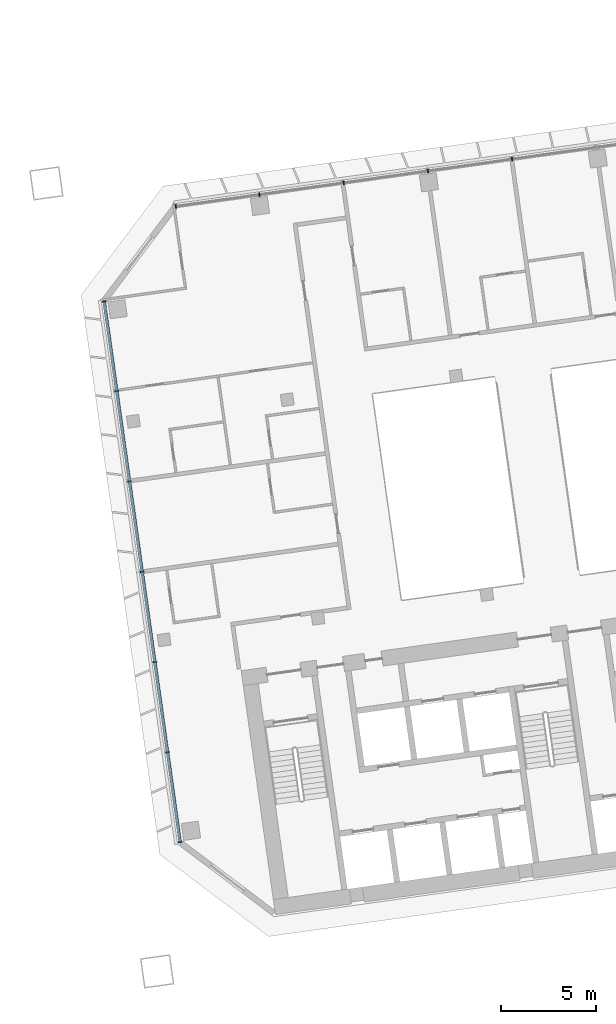
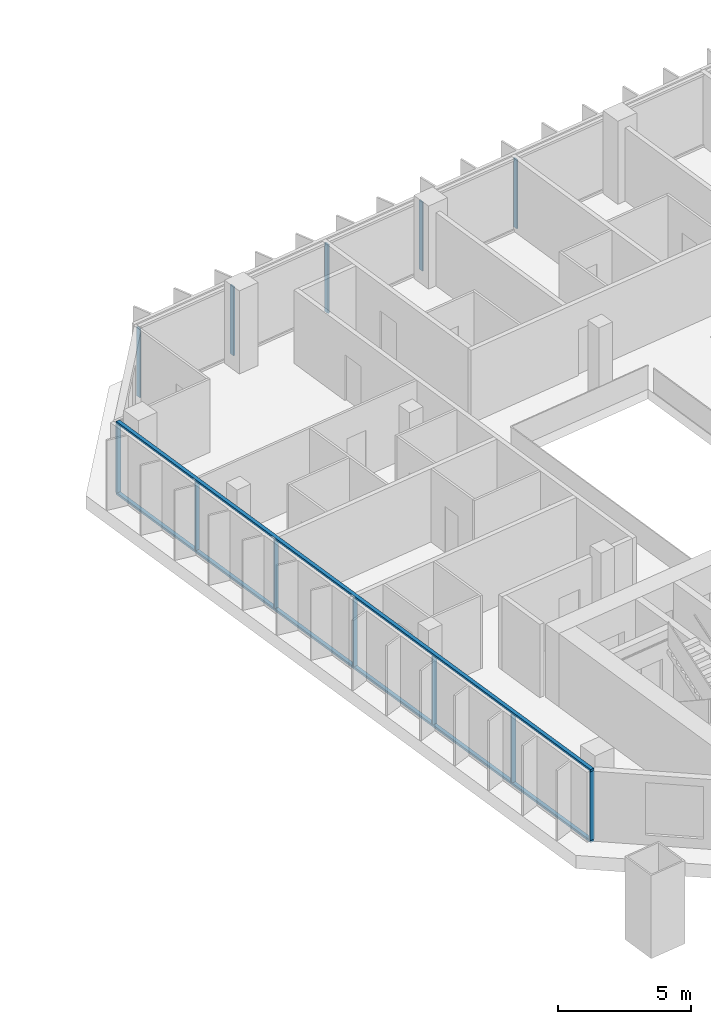
# One storey, part 7 of 26: 14 members, 2 elements without a shape of their own.
"""IFC4 building model written with IfcOpenShell, lengths in metres."""

import ifcopenshell
import ifcopenshell.guid

model = None  # the IFC model being written
_history = None  # IfcOwnerHistory: only IFC2X3 demands one
_inside = {}  # id of a spatial element -> (the spatial element, [elements in it])
_under = {}  # id of a project, library or spatial element -> (it, [spatial elements below it])
_declared = {}  # id of a project -> (the project, [libraries it declares])
_typed = {}  # id of a type object -> (the type object, [elements of that type])
_made_of = {}  # id of a material, layer set ... -> (it, [elements and type objects made of it])


def new_model(schema):
    """Start an empty IFC model of exactly this schema.

    Asked for "IFC4X3", IfcOpenShell would pick the latest addendum, in which some entities
    have other attributes; the version numbers below select the first issue.
    IFC2X3 requires an IfcOwnerHistory on every rooted entity: one is made here for all.
    """
    global model, _history
    if schema == "IFC4X3":
        model = ifcopenshell.file(schema_version=(4, 3, 0, 0))
    else:
        model = ifcopenshell.file(schema=schema)
    _inside.clear()
    _under.clear()
    _declared.clear()
    _typed.clear()
    _made_of.clear()
    _history = None
    if model.schema == "IFC2X3":
        org = make("IfcOrganization", Name="unknown")
        user = make(
            "IfcPersonAndOrganization",
            ThePerson=make("IfcPerson", FamilyName="unknown"),
            TheOrganization=org,
        )
        app = make(
            "IfcApplication",
            ApplicationDeveloper=org,
            Version="unknown",
            ApplicationFullName="unknown",
            ApplicationIdentifier="unknown",
        )
        _history = make(
            "IfcOwnerHistory",
            OwningUser=user,
            OwningApplication=app,
            ChangeAction="ADDED",
            CreationDate=0,
        )
    return model


def make(cls, **values):
    """One entity of the class cls with the attributes given. An attribute that is None is left unset."""
    return model.create_entity(
        cls, **{name: value for name, value in values.items() if value is not None}
    )


def rooted(cls, **values):
    """An entity with a GlobalId (a new one), such as an element, a storey or a relation."""
    return make(cls, GlobalId=ifcopenshell.guid.new(), OwnerHistory=_history, **values)


def si_unit(unit_type, name, prefix=None):
    """IfcSIUnit, for example si_unit("LENGTHUNIT", "METRE", prefix="MILLI")."""
    return make("IfcSIUnit", UnitType=unit_type, Prefix=prefix, Name=name)


def assignment(units):
    """IfcUnitAssignment: the units of a project."""
    return None if units is None else make("IfcUnitAssignment", Units=units)


def point(xyz):
    """IfcCartesianPoint."""
    return None if xyz is None else make("IfcCartesianPoint", Coordinates=xyz)


def direction(xyz):
    """IfcDirection."""
    return None if xyz is None else make("IfcDirection", DirectionRatios=xyz)


def frame(location, z_axis=None, x_axis=None):
    """IfcAxis2Placement3D, a coordinate frame: its origin and axes. An axis left out is left unset."""
    return make(
        "IfcAxis2Placement3D",
        Location=point(location),
        Axis=direction(z_axis),
        RefDirection=direction(x_axis),
    )


def frame_2d(location, x_axis=None):
    """IfcAxis2Placement2D, a coordinate frame in the plane: its origin and x axis."""
    return make(
        "IfcAxis2Placement2D", Location=point(location), RefDirection=direction(x_axis)
    )


def origin():
    """The frame at (0, 0, 0) with its axes left unset."""
    return frame((0.0, 0.0, 0.0))


def origin_2d():
    """The frame at (0, 0) in the plane with its x axis left unset."""
    return frame_2d((0.0, 0.0))


def place(relative_to, where):
    """IfcLocalPlacement: puts the frame where relative to a parent placement (None: the world)."""
    return make(
        "IfcLocalPlacement", PlacementRelTo=relative_to, RelativePlacement=where
    )


def context(
    kind, dimensions, precision=None, world=None, true_north=None, identifier=None
):
    """IfcGeometricRepresentationContext, for example the 3D "Model" context."""
    return make(
        "IfcGeometricRepresentationContext",
        ContextIdentifier=identifier,
        ContextType=kind,
        CoordinateSpaceDimension=dimensions,
        Precision=precision,
        WorldCoordinateSystem=world,
        TrueNorth=true_north,
    )


def subcontext(parent, identifier, kind, view, scale=None):
    """IfcGeometricRepresentationSubContext, for example "Body" below "Model"."""
    return make(
        "IfcGeometricRepresentationSubContext",
        ContextIdentifier=identifier,
        ContextType=kind,
        ParentContext=parent,
        TargetScale=scale,
        TargetView=view,
    )


def project(units=None, contexts=None):
    """IfcProject with its units and contexts."""
    return rooted(
        "IfcProject",
        Name="project",
        RepresentationContexts=contexts,
        UnitsInContext=assignment(units),
    )


def spatial(cls, under=None, at=None, **own):
    """A site, building, storey or space (cls), placed at a placement, below another one or the project."""
    s = rooted(cls, ObjectPlacement=at, **own)
    if under is not None:
        _under.setdefault(under.id(), (under, []))[1].append(s)
    return s


def profile(cls, at=None, kind="AREA", **sizes):
    """A parametric profile (cls). Its sizes go by their IFC names, for example OverallWidth=200.0."""
    return make(cls, ProfileType=kind, Position=at, **sizes)


def rectangle(**sizes):
    """IfcRectangleProfileDef."""
    return profile("IfcRectangleProfileDef", **sizes)


def extrude(swept, where, along, depth):
    """IfcExtrudedAreaSolid: the profile swept, set in the frame where, extruded along a direction by depth."""
    return make(
        "IfcExtrudedAreaSolid",
        SweptArea=swept,
        Position=where,
        ExtrudedDirection=direction(along),
        Depth=depth,
    )


def shape(context_of_items, identifier, shape_type, items):
    """IfcShapeRepresentation: the items that make up one representation, for example the "Body"."""
    return make(
        "IfcShapeRepresentation",
        ContextOfItems=context_of_items,
        RepresentationIdentifier=identifier,
        RepresentationType=shape_type,
        Items=items,
    )


def material(Name=None, Category=None):
    """IfcMaterial."""
    return make("IfcMaterial", Name=Name, Category=Category)


def material_profile(
    of_material, cross_section, Name=None, Category=None, Priority=None
):
    """IfcMaterialProfile: a cross section and its material."""
    return make(
        "IfcMaterialProfile",
        Name=Name,
        Material=of_material,
        Profile=cross_section,
        Priority=Priority,
        Category=Category,
    )


def profile_set(profiles, Name=None, composite=None):
    """IfcMaterialProfileSet."""
    return make(
        "IfcMaterialProfileSet",
        Name=Name,
        MaterialProfiles=profiles,
        CompositeProfile=composite,
    )


def made_of(thing, what):
    """Note that an element or type object is made of a material, layer set ...; save() writes the relation."""
    if what is not None:
        _made_of.setdefault(what.id(), (what, []))[1].append(thing)
    return thing


def type_object(cls, material=None, **own):
    """A type object (cls), such as IfcWallType, which elements share."""
    return made_of(rooted(cls, **own), material)


def element(
    cls,
    number,
    at=None,
    inside=None,
    cuts=None,
    type_object=None,
    material=None,
    context=None,
    identifier="Body",
    shape_type=None,
    held_by="IfcProductDefinitionShape",
    body=None,
    shapes=None,
    **own,
):
    """One element of the class cls, such as IfcWall. Its Tag is "e" and its number.

    at: its placement. inside: the storey or other place that contains it. cuts: it is an
    opening in that element (IfcRelVoidsElement). A single representation is given by context,
    identifier, shape_type and body (its items); several are given by shapes. held_by: the class
    of the entity that holds the representations. save() writes the other relations.
    """
    e = rooted(cls, Tag="e%d" % number, ObjectPlacement=at, **own)
    if body is not None:
        shapes = [shape(context, identifier, shape_type, body)]
    if shapes is not None:
        e.Representation = make(held_by, Representations=shapes)
    if inside is not None:
        _inside.setdefault(inside.id(), (inside, []))[1].append(e)
    if cuts is not None:
        rooted(
            "IfcRelVoidsElement", RelatingBuildingElement=cuts, RelatedOpeningElement=e
        )
    if type_object is not None:
        _typed.setdefault(type_object.id(), (type_object, []))[1].append(e)
    return made_of(e, material)


def aggregate(whole, parts):
    """IfcRelAggregates: a whole, such as a stair, and the parts it consists of."""
    return rooted("IfcRelAggregates", RelatingObject=whole, RelatedObjects=parts)


def save(model, path):
    """Write the relations noted so far, then the file.

    IfcRelAggregates (storeys below a building ...), IfcRelContainedInSpatialStructure (elements
    in a storey), IfcRelDefinesByType, IfcRelAssociatesMaterial and IfcRelDeclares: one each for
    every whole, place, type object, material and project.
    """
    for whole, parts in _under.values():
        aggregate(whole, parts)
    for where, things in _inside.values():
        rooted(
            "IfcRelContainedInSpatialStructure",
            RelatedElements=things,
            RelatingStructure=where,
        )
    for kind, things in _typed.values():
        rooted("IfcRelDefinesByType", RelatedObjects=things, RelatingType=kind)
    for what, things in _made_of.values():
        rooted("IfcRelAssociatesMaterial", RelatedObjects=things, RelatingMaterial=what)
    for by, libraries in _declared.values():
        rooted("IfcRelDeclares", RelatingContext=by, RelatedDefinitions=libraries)
    model.write(path)


model = new_model("IFC4")

# Units and contexts
model_context = context("Model", 3, precision=1e-05, world=origin(), true_north=direction((0.0, 1.0)))
body_context = subcontext(model_context, "Body", "Model", "MODEL_VIEW")
ifc_project = project(units=[si_unit("LENGTHUNIT", "METRE"), si_unit("AREAUNIT", "SQUARE_METRE"), si_unit("VOLUMEUNIT", "CUBIC_METRE"), si_unit("PLANEANGLEUNIT", "RADIAN"), si_unit("MASSUNIT", "GRAM", prefix="KILO")], contexts=[model_context])

# Site, building, storey
site_placement = place(None, origin())
site = spatial("IfcSite", under=ifc_project, at=site_placement, CompositionType="ELEMENT")
building_placement = place(site_placement, origin())
building = spatial("IfcBuilding", under=site, at=building_placement, Name="Mirante Cascada Hotel Towers", CompositionType="ELEMENT")
storey_placement = place(building_placement, frame((0.0, 0.0, 98.7)))
storey = spatial("IfcBuildingStorey", under=building, at=storey_placement, Name="L21", CompositionType="ELEMENT", Elevation=98.7)

# Curtain wall, members
ifc_material_1 = material(Name="Aluminium mullion and transom frame with clear laminated glass", Category="aluminium")
curtain_wall_type_1 = type_object("IfcCurtainWallType", Name="Ribbon curtain wall ECW1", PredefinedType="NOTDEFINED", material=ifc_material_1)
curtain_wall_1_placement = place(storey_placement, origin())
curtain_wall_1 = element("IfcCurtainWall", 1, at=curtain_wall_1_placement, inside=storey, type_object=curtain_wall_type_1, Name="Front ribbon wall T2 L21", PredefinedType="NOTDEFINED")
ifc_material_2 = material(Name="Anodised aluminium extrusion", Category="aluminium")
ifc_material_profile_1 = material_profile(ifc_material_2, rectangle(XDim=0.2, YDim=0.065, at=origin_2d()), Name="ECW1 MULLION 65x200")
ifc_profile_set_1 = profile_set([ifc_material_profile_1], Name="Anodised aluminium extrusion")
member_type_1 = type_object("IfcMemberType", Name="ECW1 mullion 65x200", PredefinedType="MULLION", material=ifc_profile_set_1)
member_1_placement = place(storey_placement, frame((49.6781, 19.8008, 0.1), z_axis=(0.0, 0.0, 1.0), x_axis=(0.1391731, -0.9902681, 0.0)))
member_1 = element("IfcMember", 2, at=member_1_placement, type_object=member_type_1, Name="ECW1 mullion 9", PredefinedType="MULLION", context=body_context, shape_type="SweptSolid", body=[
    extrude(rectangle(XDim=0.2, YDim=0.065, at=origin_2d()), origin(), (0.0, 0.0, 1.0), 3.15),
])
member_2_placement = place(storey_placement, frame((45.2322, 19.176, 0.1), z_axis=(0.0, 0.0, 1.0), x_axis=(0.1391731, -0.9902681, 0.0)))
member_2 = element("IfcMember", 3, at=member_2_placement, type_object=member_type_1, Name="ECW1 mullion 10", PredefinedType="MULLION", context=body_context, shape_type="SweptSolid", body=[
    extrude(rectangle(XDim=0.2, YDim=0.065, at=origin_2d()), origin(), (0.0, 0.0, 1.0), 3.15),
])
member_3_placement = place(storey_placement, frame((40.7862, 18.5512, 0.1), z_axis=(0.0, 0.0, 1.0), x_axis=(0.1391731, -0.9902681, 0.0)))
member_3 = element("IfcMember", 4, at=member_3_placement, type_object=member_type_1, Name="ECW1 mullion 11", PredefinedType="MULLION", context=body_context, shape_type="SweptSolid", body=[
    extrude(rectangle(XDim=0.2, YDim=0.065, at=origin_2d()), origin(), (0.0, 0.0, 1.0), 3.15),
])
member_4_placement = place(storey_placement, frame((36.3403, 17.9263, 0.1), z_axis=(0.0, 0.0, 1.0), x_axis=(0.1391731, -0.9902681, 0.0)))
member_4 = element("IfcMember", 5, at=member_4_placement, type_object=member_type_1, Name="ECW1 mullion 12", PredefinedType="MULLION", context=body_context, shape_type="SweptSolid", body=[
    extrude(rectangle(XDim=0.2, YDim=0.065, at=origin_2d()), origin(), (0.0, 0.0, 1.0), 3.15),
])
member_5_placement = place(storey_placement, frame((31.9265, 17.306, 0.1), z_axis=(0.0, 0.0, 1.0), x_axis=(0.1391731, -0.9902681, 0.0)))
member_5 = element("IfcMember", 6, at=member_5_placement, type_object=member_type_1, Name="ECW1 mullion 13", PredefinedType="MULLION", context=body_context, shape_type="SweptSolid", body=[
    extrude(rectangle(XDim=0.2, YDim=0.065, at=origin_2d()), origin(), (0.0, 0.0, 1.0), 3.15),
])
aggregate(curtain_wall_1, [member_1, member_2, member_3, member_4, member_5])

ifc_material_3 = material(Name="Aluminium mullion and transom frame with clear laminated glass", Category="aluminium")
curtain_wall_type_2 = type_object("IfcCurtainWallType", Name="End ribbon curtain wall ECW2", PredefinedType="NOTDEFINED", material=ifc_material_3)
curtain_wall_2_placement = place(storey_placement, origin())
curtain_wall_2 = element("IfcCurtainWall", 7, at=curtain_wall_2_placement, inside=storey, type_object=curtain_wall_type_2, Name="Inner end wall T2 L21", PredefinedType="NOTDEFINED")
ifc_material_4 = material(Name="Anodised aluminium extrusion", Category="aluminium")
ifc_material_profile_2 = material_profile(ifc_material_4, rectangle(XDim=0.2, YDim=0.065, at=origin_2d()), Name="ECW2 MULLION 65x200")
ifc_profile_set_2 = profile_set([ifc_material_profile_2], Name="Anodised aluminium extrusion")
member_type_2 = type_object("IfcMemberType", Name="ECW2 mullion 65x200", PredefinedType="MULLION", material=ifc_profile_set_2)
member_6_placement = place(storey_placement, frame((28.1437, 12.2861, 0.1), z_axis=(0.0, 0.0, 1.0), x_axis=(0.9902681, 0.1391731, 0.0)))
member_6 = element("IfcMember", 8, at=member_6_placement, type_object=member_type_2, Name="ECW2 mullion 1", PredefinedType="MULLION", context=body_context, shape_type="SweptSolid", body=[
    extrude(rectangle(XDim=0.2, YDim=0.065, at=origin_2d()), origin(), (0.0, 0.0, 1.0), 3.15),
])
member_7_placement = place(storey_placement, frame((28.809, 7.5524, 0.1), z_axis=(0.0, 0.0, 1.0), x_axis=(0.9902681, 0.1391731, 0.0)))
member_7 = element("IfcMember", 9, at=member_7_placement, type_object=member_type_2, Name="ECW2 mullion 2", PredefinedType="MULLION", context=body_context, shape_type="SweptSolid", body=[
    extrude(rectangle(XDim=0.2, YDim=0.065, at=origin_2d()), origin(), (0.0, 0.0, 1.0), 3.15),
])
member_8_placement = place(storey_placement, frame((29.4788, 2.7867, 0.1), z_axis=(0.0, 0.0, 1.0), x_axis=(0.9902681, 0.1391731, 0.0)))
member_8 = element("IfcMember", 10, at=member_8_placement, type_object=member_type_2, Name="ECW2 mullion 3", PredefinedType="MULLION", context=body_context, shape_type="SweptSolid", body=[
    extrude(rectangle(XDim=0.2, YDim=0.065, at=origin_2d()), origin(), (0.0, 0.0, 1.0), 3.15),
])
member_9_placement = place(storey_placement, frame((30.1485, -1.9791, 0.1), z_axis=(0.0, 0.0, 1.0), x_axis=(0.9902681, 0.1391731, 0.0)))
member_9 = element("IfcMember", 11, at=member_9_placement, type_object=member_type_2, Name="ECW2 mullion 4", PredefinedType="MULLION", context=body_context, shape_type="SweptSolid", body=[
    extrude(rectangle(XDim=0.2, YDim=0.065, at=origin_2d()), origin(), (0.0, 0.0, 1.0), 3.15),
])
member_10_placement = place(storey_placement, frame((30.8183, -6.7449, 0.1), z_axis=(0.0, 0.0, 1.0), x_axis=(0.9902681, 0.1391731, 0.0)))
member_10 = element("IfcMember", 12, at=member_10_placement, type_object=member_type_2, Name="ECW2 mullion 5", PredefinedType="MULLION", context=body_context, shape_type="SweptSolid", body=[
    extrude(rectangle(XDim=0.2, YDim=0.065, at=origin_2d()), origin(), (0.0, 0.0, 1.0), 3.15),
])
member_11_placement = place(storey_placement, frame((31.4881, -11.5107, 0.1), z_axis=(0.0, 0.0, 1.0), x_axis=(0.9902681, 0.1391731, 0.0)))
member_11 = element("IfcMember", 13, at=member_11_placement, type_object=member_type_2, Name="ECW2 mullion 6", PredefinedType="MULLION", context=body_context, shape_type="SweptSolid", body=[
    extrude(rectangle(XDim=0.2, YDim=0.065, at=origin_2d()), origin(), (0.0, 0.0, 1.0), 3.15),
])
member_12_placement = place(storey_placement, frame((32.1534, -16.2443, 0.1), z_axis=(0.0, 0.0, 1.0), x_axis=(0.9902681, 0.1391731, 0.0)))
member_12 = element("IfcMember", 14, at=member_12_placement, type_object=member_type_2, Name="ECW2 mullion 7", PredefinedType="MULLION", context=body_context, shape_type="SweptSolid", body=[
    extrude(rectangle(XDim=0.2, YDim=0.065, at=origin_2d()), origin(), (0.0, 0.0, 1.0), 3.15),
])
ifc_material_5 = material(Name="Anodised aluminium extrusion", Category="aluminium")
ifc_material_profile_3 = material_profile(ifc_material_5, rectangle(XDim=0.16, YDim=0.1, at=origin_2d()), Name="ECW2 TRANSOM 100x160")
ifc_profile_set_3 = profile_set([ifc_material_profile_3], Name="Anodised aluminium extrusion")
member_type_3 = type_object("IfcMemberType", Name="ECW2 transom 100x160", PredefinedType="USERDEFINED", material=ifc_profile_set_3)
member_13_placement = place(storey_placement, frame((28.1392, 12.3182, 0.05), z_axis=(0.1391723, -0.9902682, 0.0), x_axis=(0.9902682, 0.1391723, 0.0)))
member_13 = element("IfcMember", 15, at=member_13_placement, type_object=member_type_3, Name="ECW2 sill transom", ObjectType="TRANSOM", PredefinedType="USERDEFINED", context=body_context, shape_type="SweptSolid", body=[
    extrude(rectangle(XDim=0.16, YDim=0.1, at=origin_2d()), origin(), (0.0, 0.0, 1.0), 28.8757),
])
member_14_placement = place(storey_placement, frame((28.1392, 12.3182, 3.3), z_axis=(0.1391723, -0.9902682, 0.0), x_axis=(0.9902682, 0.1391723, 0.0)))
member_14 = element("IfcMember", 16, at=member_14_placement, type_object=member_type_3, Name="ECW2 head transom", ObjectType="TRANSOM", PredefinedType="USERDEFINED", context=body_context, shape_type="SweptSolid", body=[
    extrude(rectangle(XDim=0.16, YDim=0.1, at=origin_2d()), origin(), (0.0, 0.0, 1.0), 28.8757),
])
aggregate(curtain_wall_2, [member_13, member_14, member_6, member_7, member_8, member_9, member_10, member_11, member_12])

save(model, "model.ifc")
